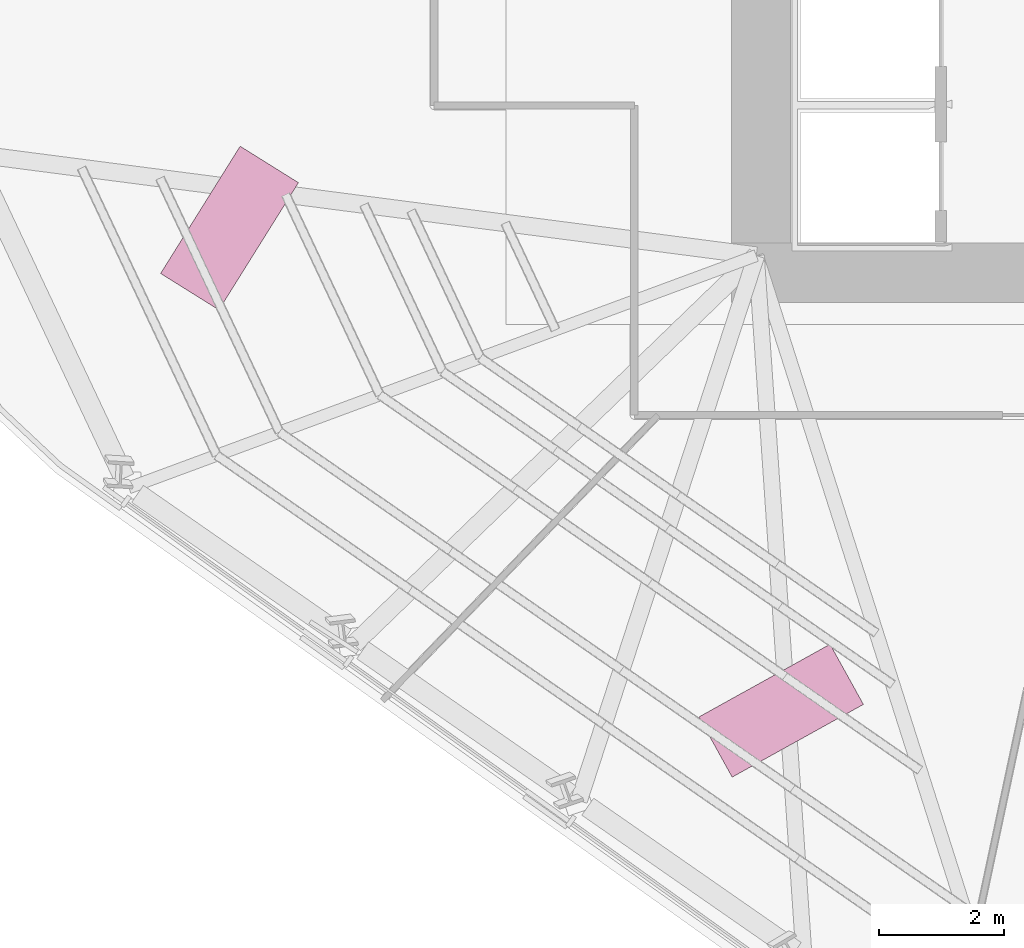
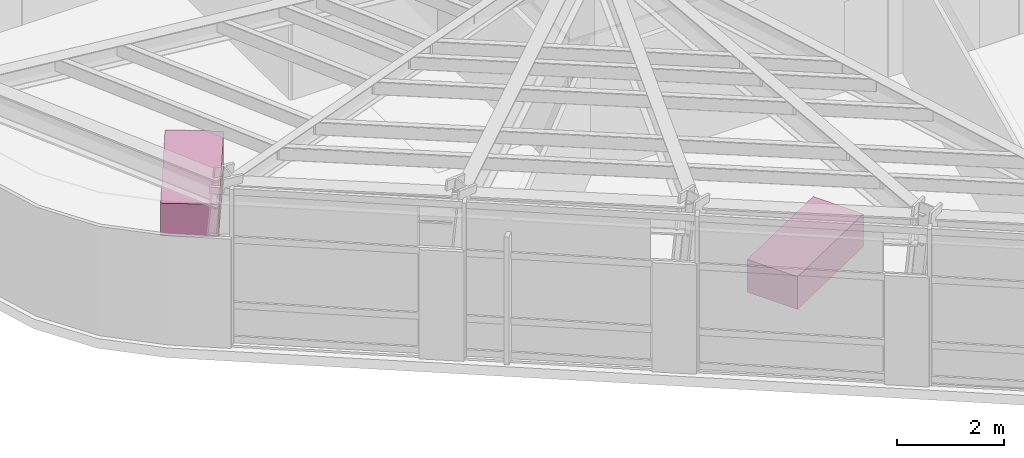
# One storey, part 16 of 16: 2 furniture elements.
"""IFC4 building model written with IfcOpenShell, lengths in metres."""

from ifc_helpers import new_model, si_unit, direction, frame, origin, origin_2d, place, context, subcontext, project, spatial, rectangle, extrude, material, type_object, element, save


model = new_model("IFC4")

# Units and contexts
model_context = context("Model", 3, precision=1e-05, world=origin(), true_north=direction((0.0, 1.0)))
body_context = subcontext(model_context, "Body", "Model", "MODEL_VIEW")
ifc_project = project(units=[si_unit("LENGTHUNIT", "METRE"), si_unit("AREAUNIT", "SQUARE_METRE"), si_unit("VOLUMEUNIT", "CUBIC_METRE"), si_unit("PLANEANGLEUNIT", "RADIAN"), si_unit("MASSUNIT", "GRAM", prefix="KILO")], contexts=[model_context])

# Site, building, storey
site_placement = place(None, origin())
site = spatial("IfcSite", under=ifc_project, at=site_placement, CompositionType="ELEMENT")
building_placement = place(site_placement, origin())
building = spatial("IfcBuilding", under=site, at=building_placement, Name="Valkerne Bourse Tower", CompositionType="ELEMENT")
storey_placement = place(building_placement, frame((0.0, 0.0, 127.60009765625)))
storey = spatial("IfcBuildingStorey", under=building, at=storey_placement, Name="L32", CompositionType="ELEMENT", Elevation=127.60009765625)

# Furniture
ifc_material = material(Name="Architectural White Oak Timber", Category="wood")
furniture_type = type_object("IfcFurnitureType", Name="FURN-DESK-2400", AssemblyPlace="NOTDEFINED", PredefinedType="DESK", material=ifc_material)
for number, where, z_axis, x_axis, name in (
    (1, (37.9970703125, 11.1220703125, 0.044921875), (0.0, 0.0, 1.0), (0.874619707139, 0.484809620246, 0.0), "L32 Suite Worktable 05"),
    (2, (29.176025390625, 18.840087890625, 0.044921875), (0.0, 0.0, 1.0), (0.529919264233, 0.848048096156, 0.0), "L32 Suite Worktable 06"),
):
    element("IfcFurniture", number, at=place(storey_placement, frame(where, z_axis=z_axis, x_axis=x_axis)), inside=storey, type_object=furniture_type, Name=name, PredefinedType="DESK", context=body_context, shape_type="SweptSolid", body=[
        extrude(rectangle(XDim=2.39990234375, YDim=1.10009765625, at=origin_2d()), origin(), (0.0, 0.0, 1.0), 0.75),
    ])

save(model, "model.ifc")
